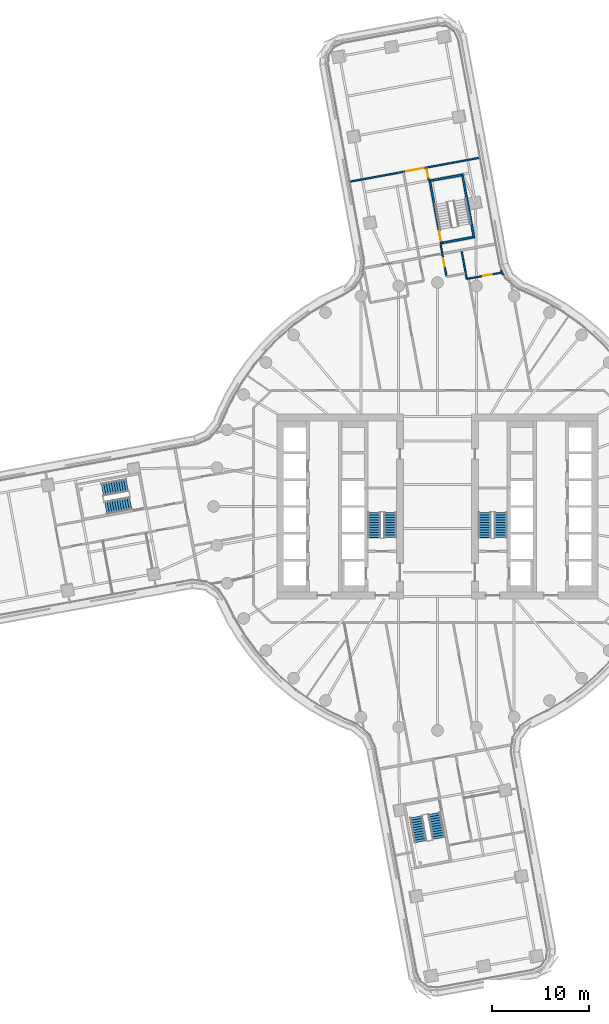
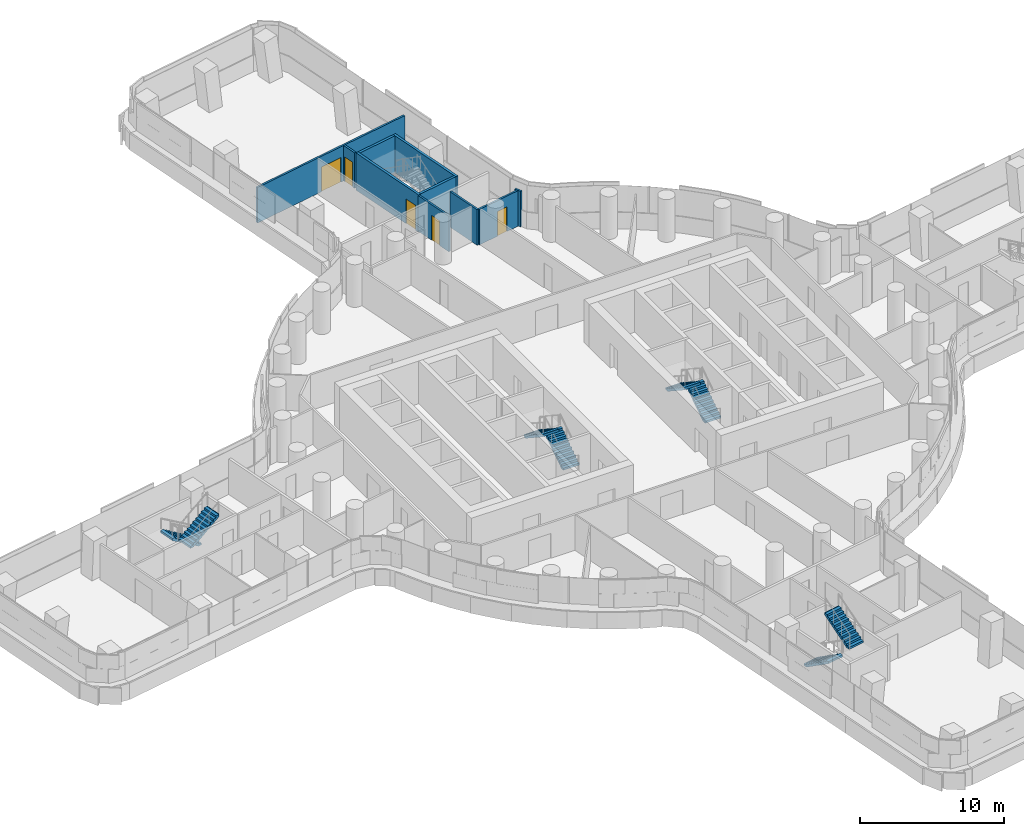
# One storey, part 24 of 33: 10 walls, 8 stair flights, 5 doors, 5 openings, 4 elements without a shape of their own.
"""IFC4 building model written with IfcOpenShell, lengths in metres."""

from ifc_helpers import new_model, si_unit, direction, frame, frame_2d, origin, place, context, subcontext, project, spatial, polyline, rectangle, outline, extrude, material, layer, layer_set, type_object, element, fill, aggregate, save


model = new_model("IFC4")

# Units and contexts
model_context = context("Model", 3, precision=1e-05, world=origin(), true_north=direction((0.0, 1.0)))
body_context = subcontext(model_context, "Body", "Model", "MODEL_VIEW")
ifc_project = project(units=[si_unit("LENGTHUNIT", "METRE"), si_unit("AREAUNIT", "SQUARE_METRE"), si_unit("VOLUMEUNIT", "CUBIC_METRE"), si_unit("PLANEANGLEUNIT", "RADIAN"), si_unit("MASSUNIT", "GRAM", prefix="KILO")], contexts=[model_context])

# Site, building, storey
site_placement = place(None, origin())
site = spatial("IfcSite", under=ifc_project, at=site_placement, CompositionType="ELEMENT")
building_placement = place(site_placement, origin())
building = spatial("IfcBuilding", under=site, at=building_placement, Name="Tamarind Cross Interchange Tower", CompositionType="ELEMENT")
storey_placement = place(building_placement, frame((0.0, 0.0, 71.5)))
storey = spatial("IfcBuildingStorey", under=building, at=storey_placement, Name="L16", CompositionType="ELEMENT", Elevation=71.5)

# Wall, opening, door
ifc_material_1 = material(Name="Gypsum board partition on steel studs", Category="steel")
ifc_layer_1 = layer(ifc_material_1, 0.14990234375)
ifc_layer_set_1 = layer_set([ifc_layer_1], Name="Gypsum board partition on steel studs")
wall_type_1 = type_object("IfcWallType", Name="Partition 150 mm EI 120", PredefinedType="PARTITIONING", material=ifc_layer_set_1)
wall_1_placement = place(storey_placement, frame((-1.12744140625, 34.731201171875, 0.0), z_axis=(0.0, 0.0, 1.0), x_axis=(0.181388013835, -0.983411606824, 0.0)))
wall_1 = element("IfcWall", 1, at=wall_1_placement, inside=storey, type_object=wall_type_1, Name="Partition L16-017", PredefinedType="PARTITIONING", context=body_context, shape_type="SweptSolid", body=[
    extrude(rectangle(XDim=1.184326171875, YDim=0.14990234375, at=frame_2d((0.59228515625, 0.0))), origin(), (0.0, 0.0, 1.0), 3.010009765625),
])
opening_1_placement = place(wall_1_placement, frame((0.074951171875, 0.0, 0.0)))
opening_1 = element("IfcOpeningElement", 2, at=opening_1_placement, cuts=wall_1, Name="Opening D07", PredefinedType="OPENING", context=body_context, shape_type="SweptSolid", body=[
    extrude(rectangle(XDim=0.89990234375, YDim=2.10009765625, at=frame_2d((0.449951171875, 1.050048828125))), frame((0.0, 0.0849609375, 0.0), z_axis=(0.0, -1.0, 0.0), x_axis=(1.0, 0.0, 0.0)), (0.0, 0.0, 1.0), 0.169921875),
])
ifc_material_2 = material(Name="Fire-resisting door set")
door_type_1 = type_object("IfcDoorType", Name="Interior door 900 x 2100 FD60S", OperationType="SINGLE_SWING_LEFT", PredefinedType="DOOR", material=ifc_material_2)
door_1_placement = place(opening_1_placement, origin())
door_1 = element("IfcDoor", 3, at=door_1_placement, inside=storey, type_object=door_type_1, Name="Door D07", OperationType="SINGLE_SWING_RIGHT", OverallHeight=2.10009765625, OverallWidth=0.89990234375, PredefinedType="DOOR", context=body_context, shape_type="SweptSolid", body=[
    extrude(rectangle(XDim=0.89990234375, YDim=2.10009765625, at=frame_2d((0.449951171875, 1.050048828125))), frame((0.0, 0.02490234375, 0.0), z_axis=(0.0, -1.0, 0.0), x_axis=(1.0, 0.0, 0.0)), (0.0, 0.0, 1.0), 0.050048828125),
])
fill(opening_1, door_1)

wall_2_placement = place(storey_placement, frame((0.317138671875, 26.898193359375, 0.0), z_axis=(0.0, 0.0, 1.0), x_axis=(0.181366412916, -0.983415590819, 0.0)))
wall_2 = element("IfcWall", 4, at=wall_2_placement, inside=storey, type_object=wall_type_1, Name="Partition L16-018", PredefinedType="PARTITIONING", context=body_context, shape_type="SweptSolid", body=[
    extrude(rectangle(XDim=3.289794921875, YDim=0.14990234375, at=frame_2d((1.64501953125, 0.0))), origin(), (0.0, 0.0, 1.0), 3.010009765625),
])
opening_2_placement = place(wall_2_placement, frame((1.4091796875, 0.0, 0.0)))
opening_2 = element("IfcOpeningElement", 5, at=opening_2_placement, cuts=wall_2, Name="Opening D08", PredefinedType="OPENING", context=body_context, shape_type="SweptSolid", body=[
    extrude(rectangle(XDim=0.89990234375, YDim=2.10009765625, at=frame_2d((0.449951171875, 1.050048828125))), frame((0.0, 0.0849609375, 0.0), z_axis=(0.0, -1.0, 0.0), x_axis=(1.0, 0.0, 0.0)), (0.0, 0.0, 1.0), 0.169921875),
])
door_2_placement = place(opening_2_placement, origin())
door_2 = element("IfcDoor", 6, at=door_2_placement, inside=storey, type_object=door_type_1, Name="Door D08", OperationType="SINGLE_SWING_LEFT", OverallHeight=2.10009765625, OverallWidth=0.89990234375, PredefinedType="DOOR", context=body_context, shape_type="SweptSolid", body=[
    extrude(rectangle(XDim=0.89990234375, YDim=2.10009765625, at=frame_2d((0.449951171875, 1.050048828125))), frame((0.0, 0.02490234375, 0.0), z_axis=(0.0, -1.0, 0.0), x_axis=(1.0, 0.0, 0.0)), (0.0, 0.0, 1.0), 0.050048828125),
])
fill(opening_2, door_2)

# Wall
wall_3_placement = place(storey_placement, frame((2.47607421875, 26.21875, 0.0), z_axis=(0.0, 0.0, 1.0), x_axis=(0.181263141895, -0.98343463097, 0.0)))
element("IfcWall", 7, at=wall_3_placement, inside=storey, type_object=wall_type_1, Name="Partition L16-023", PredefinedType="PARTITIONING", context=body_context, shape_type="SweptSolid", body=[
    extrude(rectangle(XDim=2.89990234375, YDim=0.14990234375, at=frame_2d((1.449951171875, 0.0))), origin(), (0.0, 0.0, 1.0), 3.010009765625),
])

# Wall, opening, door
wall_4_placement = place(storey_placement, frame((-8.9248046875, 33.3701171875, 0.0), z_axis=(0.0, 0.0, 1.0), x_axis=(0.983428688749, 0.181295378169, 0.0)))
wall_4 = element("IfcWall", 8, at=wall_4_placement, inside=storey, type_object=wall_type_1, Name="Partition L16-051", PredefinedType="PARTITIONING", context=body_context, shape_type="SweptSolid", body=[
    extrude(rectangle(XDim=13.413818359375, YDim=0.14990234375, at=frame_2d((6.70703125, 0.0))), origin(), (0.0, 0.0, 1.0), 3.010009765625),
])
opening_3_placement = place(wall_4_placement, frame((5.81494140625, 0.0, 0.0)))
opening_3 = element("IfcOpeningElement", 9, at=opening_3_placement, cuts=wall_4, Name="Opening D27", PredefinedType="OPENING", context=body_context, shape_type="SweptSolid", body=[
    extrude(rectangle(XDim=1.800048828125, YDim=2.10009765625, at=frame_2d((0.89990234375, 1.050048828125))), frame((0.0, 0.0849609375, 0.0), z_axis=(0.0, -1.0, 0.0), x_axis=(1.0, 0.0, 0.0)), (0.0, 0.0, 1.0), 0.169921875),
])
door_type_2 = type_object("IfcDoorType", Name="Interior door 1800 x 2100 FD60S", OperationType="DOUBLE_DOOR_SINGLE_SWING", PredefinedType="DOOR", material=ifc_material_2)
door_3_placement = place(opening_3_placement, origin())
door_3 = element("IfcDoor", 10, at=door_3_placement, inside=storey, type_object=door_type_2, Name="Door D27", OperationType="DOUBLE_DOOR_SINGLE_SWING", OverallHeight=2.10009765625, OverallWidth=1.800048828125, PredefinedType="DOOR", context=body_context, shape_type="SweptSolid", body=[
    extrude(rectangle(XDim=1.800048828125, YDim=2.10009765625, at=frame_2d((0.89990234375, 1.050048828125))), frame((0.0, 0.02490234375, 0.0), z_axis=(0.0, -1.0, 0.0), x_axis=(1.0, 0.0, 0.0)), (0.0, 0.0, 1.0), 0.050048828125),
])
fill(opening_3, door_3)

wall_5_placement = place(storey_placement, frame((3.07080078125, 23.379638671875, 0.0), z_axis=(0.0, 0.0, 1.0), x_axis=(0.983710662033, 0.17975909825, 0.0)))
wall_5 = element("IfcWall", 11, at=wall_5_placement, inside=storey, type_object=wall_type_1, Name="Partition L16-061", PredefinedType="PARTITIONING", context=body_context, shape_type="SweptSolid", body=[
    extrude(rectangle(XDim=3.516357421875, YDim=0.14990234375, at=frame_2d((1.75830078125, 0.0))), origin(), (0.0, 0.0, 1.0), 3.010009765625),
])
opening_4_placement = place(wall_5_placement, frame((1.63037109375, 0.0, 0.0)))
opening_4 = element("IfcOpeningElement", 12, at=opening_4_placement, cuts=wall_5, Name="Opening D32", PredefinedType="OPENING", context=body_context, shape_type="SweptSolid", body=[
    extrude(rectangle(XDim=0.89990234375, YDim=2.10009765625, at=frame_2d((0.449951171875, 1.050048828125))), frame((0.0, 0.0849609375, 0.0), z_axis=(0.0, -1.0, 0.0), x_axis=(1.0, 0.0, 0.0)), (0.0, 0.0, 1.0), 0.169921875),
])
door_4_placement = place(opening_4_placement, origin())
door_4 = element("IfcDoor", 13, at=door_4_placement, inside=storey, type_object=door_type_1, Name="Door D32", OperationType="SINGLE_SWING_LEFT", OverallHeight=2.10009765625, OverallWidth=0.89990234375, PredefinedType="DOOR", context=body_context, shape_type="SweptSolid", body=[
    extrude(rectangle(XDim=0.89990234375, YDim=2.10009765625, at=frame_2d((0.449951171875, 1.050048828125))), frame((0.0, 0.02490234375, 0.0), z_axis=(0.0, -1.0, 0.0), x_axis=(1.0, 0.0, 0.0)), (0.0, 0.0, 1.0), 0.050048828125),
])
fill(opening_4, door_4)

# Wall
wall_6_placement = place(storey_placement, frame((6.7138671875, 23.798095703125, 0.0), z_axis=(0.0, 0.0, 1.0), x_axis=(-0.401510565148, 0.915854391306, 0.0)))
element("IfcWall", 14, at=wall_6_placement, inside=storey, type_object=wall_type_1, Name="Partition L16-078", PredefinedType="PARTITIONING", context=body_context, shape_type="SweptSolid", body=[
    extrude(rectangle(XDim=0.499755859375, YDim=0.14990234375, at=frame_2d((0.25, 0.0))), origin(), (0.0, 0.0, 1.0), 3.010009765625),
])

# Wall, opening, door
ifc_material_3 = material(Name="Concrete C40", Category="concrete")
ifc_layer_2 = layer(ifc_material_3, 0.199951171875)
ifc_layer_set_2 = layer_set([ifc_layer_2], Name="Concrete C40")
wall_type_2 = type_object("IfcWallType", Name="Stair shaft wall 200 mm Concrete C40", PredefinedType="SHEAR", material=ifc_layer_set_2)
wall_7_placement = place(storey_placement, frame((0.407958984375, 26.956298828125, -0.139892578125), z_axis=(0.0, 0.0, 1.0), x_axis=(-0.181321949703, 0.983423789907, 0.0)))
wall_7 = element("IfcWall", 15, at=wall_7_placement, inside=storey, type_object=wall_type_2, Name="Core wall CWL-L16-ST4-H", PredefinedType="SHEAR", context=body_context, shape_type="SweptSolid", body=[
    extrude(rectangle(XDim=6.699951171875, YDim=0.199951171875, at=frame_2d((3.35009765625, 0.0))), origin(), (0.0, 0.0, 1.0), 3.14990234375),
])
opening_5_placement = place(wall_7_placement, frame((0.35009765625, 0.0, 0.0)))
opening_5 = element("IfcOpeningElement", 16, at=opening_5_placement, cuts=wall_7, Name="Opening ST4L16", PredefinedType="OPENING", context=body_context, shape_type="SweptSolid", body=[
    extrude(rectangle(XDim=1.0, YDim=2.10009765625, at=frame_2d((0.5, 1.050048828125))), frame((0.0, 0.10986328125, 0.0), z_axis=(0.0, -1.0, 0.0), x_axis=(1.0, 0.0, 0.0)), (0.0, 0.0, 1.0), 0.219970703125),
])
ifc_material_4 = material(Name="Steel, fire-resisting", Category="steel")
door_type_3 = type_object("IfcDoorType", Name="Core fire door 1000 x 2100 FD90", OperationType="SINGLE_SWING_LEFT", PredefinedType="DOOR", material=ifc_material_4)
door_5_placement = place(opening_5_placement, origin())
door_5 = element("IfcDoor", 17, at=door_5_placement, inside=storey, type_object=door_type_3, Name="L16 stair door ST4", OperationType="SINGLE_SWING_LEFT", OverallHeight=2.10009765625, OverallWidth=1.0, PredefinedType="DOOR", context=body_context, shape_type="SweptSolid", body=[
    extrude(rectangle(XDim=1.0, YDim=2.10009765625, at=frame_2d((0.5, 1.050048828125))), frame((0.0, 0.02490234375, 0.0), z_axis=(0.0, -1.0, 0.0), x_axis=(1.0, 0.0, 0.0)), (0.0, 0.0, 1.0), 0.050048828125),
])
fill(opening_5, door_5)

# Walls
wall_8_placement = place(storey_placement, frame((3.751708984375, 27.57275390625, -0.139892578125), z_axis=(0.0, 0.0, 1.0), x_axis=(-0.181357190614, 0.983417291597, 0.0)))
element("IfcWall", 18, at=wall_8_placement, inside=storey, type_object=wall_type_2, Name="Core wall CWL-L16-ST4-C", PredefinedType="SHEAR", context=body_context, shape_type="SweptSolid", body=[
    extrude(rectangle(XDim=6.699951171875, YDim=0.199951171875, at=frame_2d((3.35009765625, 0.0))), origin(), (0.0, 0.0, 1.0), 3.14990234375),
])
wall_9_placement = place(storey_placement, frame((3.63525390625, 27.65283203125, -0.139892578125), z_axis=(0.0, 0.0, 1.0), x_axis=(-0.983418831334, -0.181348841124, 0.0)))
element("IfcWall", 19, at=wall_9_placement, inside=storey, type_object=wall_type_2, Name="Core wall CWL-L16-ST4-CE", PredefinedType="SHEAR", context=body_context, shape_type="SweptSolid", body=[
    extrude(rectangle(XDim=3.199951171875, YDim=0.199951171875, at=frame_2d((1.60009765625, 0.0))), origin(), (0.0, 0.0, 1.0), 3.14990234375),
])
wall_10_placement = place(storey_placement, frame((0.0, 0.0, -0.139892578125)))
element("IfcWall", 20, at=wall_10_placement, inside=storey, type_object=wall_type_2, Name="Core wall CWL-L16-ST4-CF", PredefinedType="SHEAR", context=body_context, shape_type="SweptSolid", body=[
    extrude(outline(polyline([(2.474609375, 33.94677734375), (2.438232421875, 34.1435546875), (-0.708740234375, 33.563232421875), (-0.67236328125, 33.366455078125), (2.474609375, 33.94677734375)])), origin(), (0.0, 0.0, 1.0), 3.14990234375),
])

# Stair, stair flights
ifc_material_5 = material(Name="Exit stair")
stair_type = type_object("IfcStairType", Name="Exit stair", PredefinedType="HALF_TURN_STAIR", material=ifc_material_5)
stair_1_placement = place(storey_placement, origin())
stair_1 = element("IfcStair", 21, at=stair_1_placement, inside=storey, type_object=stair_type, Name="L16 exit stair ST1", PredefinedType="HALF_TURN_STAIR")
ifc_material_6 = material(Name="Exit stair flight")
stair_flight_type = type_object("IfcStairFlightType", Name="Exit stair flight", PredefinedType="STRAIGHT", material=ifc_material_6)
stair_flight_1_placement = place(storey_placement, frame((-4.85009765625, -3.199951171875, 0.0), z_axis=(0.0, 0.0, 1.0), x_axis=(0.0, 1.0, 0.0)))
stair_flight_1 = element("IfcStairFlight", 22, at=stair_flight_1_placement, type_object=stair_flight_type, Name="ST1 flight 1", NumberOfRisers=11, NumberOfTreads=10, PredefinedType="STRAIGHT", RiserHeight=0.170454545, TreadLength=0.26, context=body_context, shape_type="SweptSolid", body=[
    extrude(outline(polyline([(0.0, 0.0), (0.0, 0.17041015625), (0.260009765625, 0.17041015625), (0.260009765625, 0.3408203125), (0.52001953125, 0.3408203125), (0.52001953125, 0.511474609375), (0.780029296875, 0.511474609375), (0.780029296875, 0.681884765625), (1.0400390625, 0.681884765625), (1.0400390625, 0.852294921875), (1.300048828125, 0.852294921875), (1.300048828125, 1.022705078125), (1.56005859375, 1.022705078125), (1.56005859375, 1.193115234375), (1.820068359375, 1.193115234375), (1.820068359375, 1.363525390625), (2.080078125, 1.363525390625), (2.080078125, 1.5341796875), (2.340087890625, 1.5341796875), (2.340087890625, 1.70458984375), (2.60009765625, 1.70458984375), (2.60009765625, 1.875), (2.60009765625, 1.525390625), (0.2734375, 0.0), (0.0, 0.0)])), frame((0.0, 0.64990234375, 0.0), z_axis=(0.0, -1.0, 0.0), x_axis=(1.0, 0.0, 0.0)), (0.0, 0.0, 1.0), 1.300048828125),
])
stair_flight_2_placement = place(storey_placement, frame((-6.5, -0.60009765625, 1.875), z_axis=(0.0, 0.0, 1.0), x_axis=(0.0, -1.0, 0.0)))
stair_flight_2 = element("IfcStairFlight", 23, at=stair_flight_2_placement, type_object=stair_flight_type, Name="ST1 flight 2", NumberOfRisers=11, NumberOfTreads=10, PredefinedType="STRAIGHT", RiserHeight=0.170454545, TreadLength=0.26, context=body_context, shape_type="SweptSolid", body=[
    extrude(outline(polyline([(0.0, 0.0), (0.0, 0.17041015625), (0.260009765625, 0.17041015625), (0.260009765625, 0.3408203125), (0.52001953125, 0.3408203125), (0.52001953125, 0.511474609375), (0.780029296875, 0.511474609375), (0.780029296875, 0.681884765625), (1.0400390625, 0.681884765625), (1.0400390625, 0.852294921875), (1.300048828125, 0.852294921875), (1.300048828125, 1.022705078125), (1.56005859375, 1.022705078125), (1.56005859375, 1.193115234375), (1.820068359375, 1.193115234375), (1.820068359375, 1.363525390625), (2.080078125, 1.363525390625), (2.080078125, 1.5341796875), (2.340087890625, 1.5341796875), (2.340087890625, 1.70458984375), (2.60009765625, 1.70458984375), (2.60009765625, 1.7548828125), (2.612060546875, 1.7548828125), (2.612060546875, 1.533203125), (0.2734375, 0.0), (0.0, 0.0)])), frame((0.0, 0.64990234375, 0.0), z_axis=(0.0, -1.0, 0.0), x_axis=(1.0, 0.0, 0.0)), (0.0, 0.0, 1.0), 1.300048828125),
])
aggregate(stair_1, [stair_flight_1, stair_flight_2])

stair_2_placement = place(storey_placement, origin())
stair_2 = element("IfcStair", 24, at=stair_2_placement, inside=storey, type_object=stair_type, Name="L16 exit stair ST2", PredefinedType="HALF_TURN_STAIR")
stair_flight_3_placement = place(storey_placement, frame((6.5, -3.199951171875, 0.0), z_axis=(0.0, 0.0, 1.0), x_axis=(0.0, 1.0, 0.0)))
stair_flight_3 = element("IfcStairFlight", 25, at=stair_flight_3_placement, type_object=stair_flight_type, Name="ST2 flight 1", NumberOfRisers=11, NumberOfTreads=10, PredefinedType="STRAIGHT", RiserHeight=0.170454545, TreadLength=0.26, context=body_context, shape_type="SweptSolid", body=[
    extrude(outline(polyline([(0.0, 0.0), (0.0, 0.17041015625), (0.260009765625, 0.17041015625), (0.260009765625, 0.3408203125), (0.52001953125, 0.3408203125), (0.52001953125, 0.511474609375), (0.780029296875, 0.511474609375), (0.780029296875, 0.681884765625), (1.0400390625, 0.681884765625), (1.0400390625, 0.852294921875), (1.300048828125, 0.852294921875), (1.300048828125, 1.022705078125), (1.56005859375, 1.022705078125), (1.56005859375, 1.193115234375), (1.820068359375, 1.193115234375), (1.820068359375, 1.363525390625), (2.080078125, 1.363525390625), (2.080078125, 1.5341796875), (2.340087890625, 1.5341796875), (2.340087890625, 1.70458984375), (2.60009765625, 1.70458984375), (2.60009765625, 1.875), (2.60009765625, 1.525390625), (0.2734375, 0.0), (0.0, 0.0)])), frame((0.0, 0.64990234375, 0.0), z_axis=(0.0, -1.0, 0.0), x_axis=(1.0, 0.0, 0.0)), (0.0, 0.0, 1.0), 1.300048828125),
])
stair_flight_4_placement = place(storey_placement, frame((4.85009765625, -0.60009765625, 1.875), z_axis=(0.0, 0.0, 1.0), x_axis=(0.0, -1.0, 0.0)))
stair_flight_4 = element("IfcStairFlight", 26, at=stair_flight_4_placement, type_object=stair_flight_type, Name="ST2 flight 2", NumberOfRisers=11, NumberOfTreads=10, PredefinedType="STRAIGHT", RiserHeight=0.170454545, TreadLength=0.26, context=body_context, shape_type="SweptSolid", body=[
    extrude(outline(polyline([(0.0, 0.0), (0.0, 0.17041015625), (0.260009765625, 0.17041015625), (0.260009765625, 0.3408203125), (0.52001953125, 0.3408203125), (0.52001953125, 0.511474609375), (0.780029296875, 0.511474609375), (0.780029296875, 0.681884765625), (1.0400390625, 0.681884765625), (1.0400390625, 0.852294921875), (1.300048828125, 0.852294921875), (1.300048828125, 1.022705078125), (1.56005859375, 1.022705078125), (1.56005859375, 1.193115234375), (1.820068359375, 1.193115234375), (1.820068359375, 1.363525390625), (2.080078125, 1.363525390625), (2.080078125, 1.5341796875), (2.340087890625, 1.5341796875), (2.340087890625, 1.70458984375), (2.60009765625, 1.70458984375), (2.60009765625, 1.7548828125), (2.612060546875, 1.7548828125), (2.612060546875, 1.533203125), (0.2734375, 0.0), (0.0, 0.0)])), frame((0.0, 0.64990234375, 0.0), z_axis=(0.0, -1.0, 0.0), x_axis=(1.0, 0.0, 0.0)), (0.0, 0.0, 1.0), 1.300048828125),
])
aggregate(stair_2, [stair_flight_3, stair_flight_4])

stair_3_placement = place(storey_placement, origin())
stair_3 = element("IfcStair", 27, at=stair_3_placement, inside=storey, type_object=stair_type, Name="L16 exit stair ST5", PredefinedType="HALF_TURN_STAIR")
stair_flight_5_placement = place(storey_placement, frame((-31.862060546875, 2.197998046875, 0.0), z_axis=(0.0, 0.0, 1.0), x_axis=(-0.983419894311, -0.181343076715, 0.0)))
stair_flight_5 = element("IfcStairFlight", 28, at=stair_flight_5_placement, type_object=stair_flight_type, Name="ST5 flight 1", NumberOfRisers=11, NumberOfTreads=10, PredefinedType="STRAIGHT", RiserHeight=0.170454545, TreadLength=0.26, context=body_context, shape_type="SweptSolid", body=[
    extrude(outline(polyline([(0.0, 0.0), (0.0, 0.17041015625), (0.260009765625, 0.17041015625), (0.260009765625, 0.3408203125), (0.52001953125, 0.3408203125), (0.52001953125, 0.511474609375), (0.780029296875, 0.511474609375), (0.780029296875, 0.681884765625), (1.0400390625, 0.681884765625), (1.0400390625, 0.852294921875), (1.300048828125, 0.852294921875), (1.300048828125, 1.022705078125), (1.56005859375, 1.022705078125), (1.56005859375, 1.193115234375), (1.820068359375, 1.193115234375), (1.820068359375, 1.363525390625), (2.080078125, 1.363525390625), (2.080078125, 1.5341796875), (2.340087890625, 1.5341796875), (2.340087890625, 1.70458984375), (2.60009765625, 1.70458984375), (2.60009765625, 1.875), (2.60009765625, 1.525390625), (0.2734375, 0.0), (0.0, 0.0)])), frame((0.0, 0.64990234375, 0.0), z_axis=(0.0, -1.0, 0.0), x_axis=(1.0, 0.0, 0.0)), (0.0, 0.0, 1.0), 1.300048828125),
])
stair_flight_6_placement = place(storey_placement, frame((-34.074462890625, -0.14208984375, 1.875), z_axis=(0.0, 0.0, 1.0), x_axis=(0.983419894311, 0.181343076715, 0.0)))
stair_flight_6 = element("IfcStairFlight", 29, at=stair_flight_6_placement, type_object=stair_flight_type, Name="ST5 flight 2", NumberOfRisers=11, NumberOfTreads=10, PredefinedType="STRAIGHT", RiserHeight=0.170454545, TreadLength=0.26, context=body_context, shape_type="SweptSolid", body=[
    extrude(outline(polyline([(0.0, 0.0), (0.0, 0.17041015625), (0.260009765625, 0.17041015625), (0.260009765625, 0.3408203125), (0.52001953125, 0.3408203125), (0.52001953125, 0.511474609375), (0.780029296875, 0.511474609375), (0.780029296875, 0.681884765625), (1.0400390625, 0.681884765625), (1.0400390625, 0.852294921875), (1.300048828125, 0.852294921875), (1.300048828125, 1.022705078125), (1.56005859375, 1.022705078125), (1.56005859375, 1.193115234375), (1.820068359375, 1.193115234375), (1.820068359375, 1.363525390625), (2.080078125, 1.363525390625), (2.080078125, 1.5341796875), (2.340087890625, 1.5341796875), (2.340087890625, 1.70458984375), (2.60009765625, 1.70458984375), (2.60009765625, 1.7548828125), (2.612060546875, 1.7548828125), (2.612060546875, 1.533203125), (0.2734375, 0.0), (0.0, 0.0)])), frame((0.0, 0.64990234375, 0.0), z_axis=(0.0, -1.0, 0.0), x_axis=(1.0, 0.0, 0.0)), (0.0, 0.0, 1.0), 1.300048828125),
])
aggregate(stair_3, [stair_flight_5, stair_flight_6])

stair_4_placement = place(storey_placement, origin())
stair_4 = element("IfcStair", 30, at=stair_4_placement, inside=storey, type_object=stair_type, Name="L16 exit stair ST6", PredefinedType="HALF_TURN_STAIR")
stair_flight_7_placement = place(storey_placement, frame((-2.197998046875, -31.862060546875, 0.0), z_axis=(0.0, 0.0, 1.0), x_axis=(0.181343076715, -0.983419894311, 0.0)))
stair_flight_7 = element("IfcStairFlight", 31, at=stair_flight_7_placement, type_object=stair_flight_type, Name="ST6 flight 1", NumberOfRisers=11, NumberOfTreads=10, PredefinedType="STRAIGHT", RiserHeight=0.170454545, TreadLength=0.26, context=body_context, shape_type="SweptSolid", body=[
    extrude(outline(polyline([(0.0, 0.0), (0.0, 0.17041015625), (0.260009765625, 0.17041015625), (0.260009765625, 0.3408203125), (0.52001953125, 0.3408203125), (0.52001953125, 0.511474609375), (0.780029296875, 0.511474609375), (0.780029296875, 0.681884765625), (1.0400390625, 0.681884765625), (1.0400390625, 0.852294921875), (1.300048828125, 0.852294921875), (1.300048828125, 1.022705078125), (1.56005859375, 1.022705078125), (1.56005859375, 1.193115234375), (1.820068359375, 1.193115234375), (1.820068359375, 1.363525390625), (2.080078125, 1.363525390625), (2.080078125, 1.5341796875), (2.340087890625, 1.5341796875), (2.340087890625, 1.70458984375), (2.60009765625, 1.70458984375), (2.60009765625, 1.875), (2.60009765625, 1.525390625), (0.2734375, 0.0), (0.0, 0.0)])), frame((0.0, 0.64990234375, 0.0), z_axis=(0.0, -1.0, 0.0), x_axis=(1.0, 0.0, 0.0)), (0.0, 0.0, 1.0), 1.300048828125),
])
stair_flight_8_placement = place(storey_placement, frame((0.14208984375, -34.074462890625, 1.875), z_axis=(0.0, 0.0, 1.0), x_axis=(-0.181343076715, 0.983419894311, 0.0)))
stair_flight_8 = element("IfcStairFlight", 32, at=stair_flight_8_placement, type_object=stair_flight_type, Name="ST6 flight 2", NumberOfRisers=11, NumberOfTreads=10, PredefinedType="STRAIGHT", RiserHeight=0.170454545, TreadLength=0.26, context=body_context, shape_type="SweptSolid", body=[
    extrude(outline(polyline([(0.0, 0.0), (0.0, 0.17041015625), (0.260009765625, 0.17041015625), (0.260009765625, 0.3408203125), (0.52001953125, 0.3408203125), (0.52001953125, 0.511474609375), (0.780029296875, 0.511474609375), (0.780029296875, 0.681884765625), (1.0400390625, 0.681884765625), (1.0400390625, 0.852294921875), (1.300048828125, 0.852294921875), (1.300048828125, 1.022705078125), (1.56005859375, 1.022705078125), (1.56005859375, 1.193115234375), (1.820068359375, 1.193115234375), (1.820068359375, 1.363525390625), (2.080078125, 1.363525390625), (2.080078125, 1.5341796875), (2.340087890625, 1.5341796875), (2.340087890625, 1.70458984375), (2.60009765625, 1.70458984375), (2.60009765625, 1.7548828125), (2.612060546875, 1.7548828125), (2.612060546875, 1.533203125), (0.2734375, 0.0), (0.0, 0.0)])), frame((0.0, 0.64990234375, 0.0), z_axis=(0.0, -1.0, 0.0), x_axis=(1.0, 0.0, 0.0)), (0.0, 0.0, 1.0), 1.300048828125),
])
aggregate(stair_4, [stair_flight_7, stair_flight_8])

save(model, "model.ifc")
